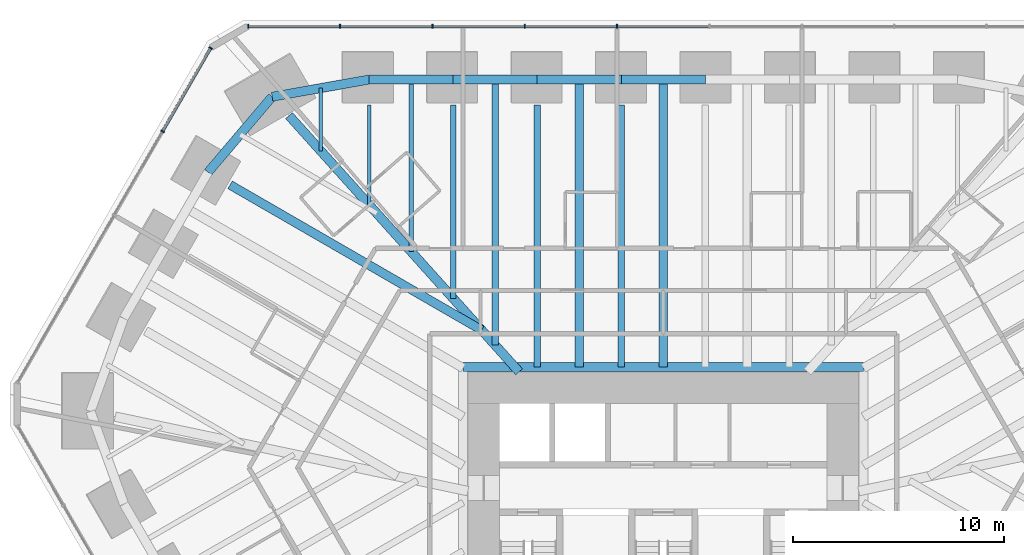
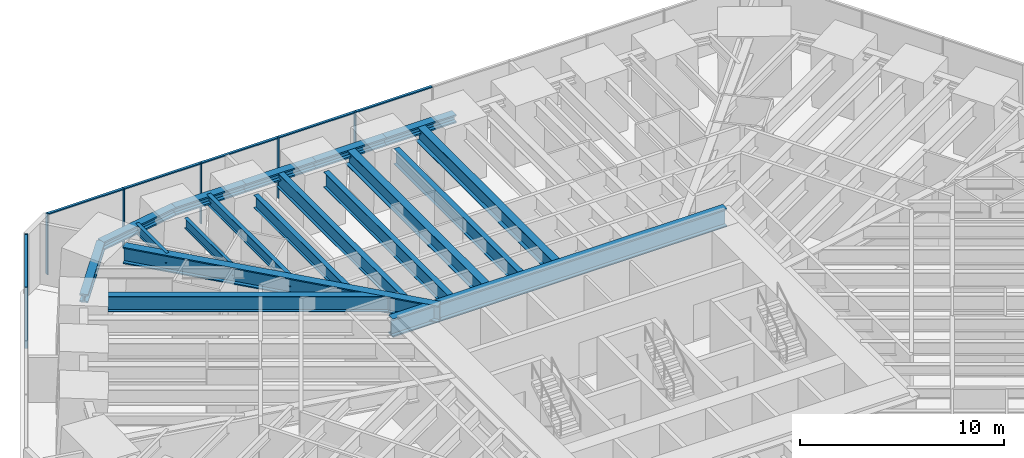
# One storey, part 8 of 17: 18 beams, 13 members, 2 elements without a shape of their own.
"""IFC4 building model written with IfcOpenShell, lengths in metres."""

from ifc_helpers import new_model, si_unit, direction, frame, origin, origin_2d, place, context, subcontext, project, spatial, rectangle, i_section, extrude, material, material_profile, profile_set, type_object, element, aggregate, save


model = new_model("IFC4")

# Units and contexts
model_context = context("Model", 3, precision=1e-05, world=origin(), true_north=direction((0.0, 1.0)))
body_context = subcontext(model_context, "Body", "Model", "MODEL_VIEW")
ifc_project = project(units=[si_unit("LENGTHUNIT", "METRE"), si_unit("AREAUNIT", "SQUARE_METRE"), si_unit("VOLUMEUNIT", "CUBIC_METRE"), si_unit("PLANEANGLEUNIT", "RADIAN"), si_unit("MASSUNIT", "GRAM", prefix="KILO")], contexts=[model_context])

# Site, building, storey
site_placement = place(None, origin())
site = spatial("IfcSite", under=ifc_project, at=site_placement, CompositionType="ELEMENT")
building_placement = place(site_placement, origin())
building = spatial("IfcBuilding", under=site, at=building_placement, Name="Sandreach Pilgrim Tower", CompositionType="ELEMENT")
storey_placement = place(building_placement, frame((0.0, 0.0, 87.60009765625)))
storey = spatial("IfcBuildingStorey", under=building, at=storey_placement, Name="L21", CompositionType="ELEMENT", Elevation=87.60009765625)

# Beams
ifc_material_1 = material(Name="Steel ASTM A913 Grade 65", Category="steel")
ifc_material_profile_1 = material_profile(ifc_material_1, i_section(OverallWidth=0.431884765625, OverallDepth=0.497802734375, WebThickness=0.0556640625, FlangeThickness=0.0888671875, at=origin_2d()), Name="W14X500")
ifc_profile_set_1 = profile_set([ifc_material_profile_1], Name="Steel ASTM A913 Grade 65")
beam_type_1 = type_object("IfcBeamType", Name="Belt truss chord W14X500", PredefinedType="BEAM", material=ifc_profile_set_1)
for number, where, z_axis, x_axis, name in (
    (1, (-13.918701171875, 21.43212890625, 3.390869140625), (1.0, 0.0, 0.0), (0.0, 1.0, 0.0), "BM L21 BTB01"),
    (2, (-9.94189453125, 21.43212890625, 3.390869140625), (1.0, 0.0, 0.0), (0.0, 1.0, 0.0), "BM L21 BTB02"),
    (3, (-5.965087890625, 21.43212890625, 3.390869140625), (1.0, 0.0, 0.0), (0.0, 1.0, 0.0), "BM L21 BTB03"),
):
    element("IfcBeam", number, at=place(storey_placement, frame(where, z_axis=z_axis, x_axis=x_axis)), inside=storey, type_object=beam_type_1, Name=name, PredefinedType="BEAM", context=body_context, shape_type="SweptSolid", body=[
        extrude(i_section(OverallWidth=0.431884765625, OverallDepth=0.497802734375, WebThickness=0.0556640625, FlangeThickness=0.0888671875, at=origin_2d()), origin(), (0.0, 0.0, 1.0), 3.976806640625),
    ])
beam_1_placement = place(storey_placement, frame((-1.98828125, 21.43212890625, 3.390869140625), z_axis=(1.0, 0.0, 0.0), x_axis=(0.0, 1.0, 0.0)))
element("IfcBeam", 4, at=beam_1_placement, inside=storey, type_object=beam_type_1, Name="BM L21 BTB04", PredefinedType="BEAM", context=body_context, shape_type="SweptSolid", body=[
    extrude(i_section(OverallWidth=0.431884765625, OverallDepth=0.497802734375, WebThickness=0.0556640625, FlangeThickness=0.0888671875, at=origin_2d()), origin(), (0.0, 0.0, 1.0), 3.9765625),
])
beam_2_placement = place(storey_placement, frame((-21.54296875, 17.046875, 3.390869140625), z_axis=(0.647254831057, 0.762273693415, 0.0), x_axis=(-0.762273693415, 0.647254831057, 0.0)))
element("IfcBeam", 5, at=beam_2_placement, inside=storey, type_object=beam_type_1, Name="BM L21 BTB38", PredefinedType="BEAM", context=body_context, shape_type="SweptSolid", body=[
    extrude(i_section(OverallWidth=0.431884765625, OverallDepth=0.497802734375, WebThickness=0.0556640625, FlangeThickness=0.0888671875, at=origin_2d()), origin(), (0.0, 0.0, 1.0), 4.682373046875),
])
beam_3_placement = place(storey_placement, frame((-18.51220703125, 20.6162109375, 3.390869140625), z_axis=(0.984588549143, 0.174886788798, 0.0), x_axis=(-0.174886788798, 0.984588549143, 0.0)))
element("IfcBeam", 6, at=beam_3_placement, inside=storey, type_object=beam_type_1, Name="BM L21 BTB39", PredefinedType="BEAM", context=body_context, shape_type="SweptSolid", body=[
    extrude(i_section(OverallWidth=0.431884765625, OverallDepth=0.497802734375, WebThickness=0.0556640625, FlangeThickness=0.0888671875, at=origin_2d()), origin(), (0.0, 0.0, 1.0), 4.66552734375),
])

# Curtain wall, members
ifc_material_2 = material(Name="Aluminium framed curtain wall", Category="aluminium")
curtain_wall_type = type_object("IfcCurtainWallType", Name="Hostel tower curtain wall", PredefinedType="NOTDEFINED", material=ifc_material_2)
curtain_wall_1_placement = place(storey_placement, origin())
curtain_wall_1 = element("IfcCurtainWall", 7, at=curtain_wall_1_placement, inside=storey, type_object=curtain_wall_type, Name="CW-1 L21 N", PredefinedType="NOTDEFINED")
ifc_material_3 = material(Name="Aluminium extrusion", Category="aluminium")
ifc_material_profile_2 = material_profile(ifc_material_3, rectangle(XDim=0.06494140625, YDim=0.179931640625, at=origin_2d()), Name="CW-1M 65X180")
ifc_profile_set_2 = profile_set([ifc_material_profile_2], Name="Aluminium extrusion")
member_type_1 = type_object("IfcMemberType", Name="CW-1 mullion", PredefinedType="MULLION", material=ifc_profile_set_2)
member_1_placement = place(storey_placement, frame((-19.6396484375, 23.94873046875, 0.0), z_axis=(0.0, 0.0, 1.0), x_axis=(1.0, 0.0, 0.0)))
member_1 = element("IfcMember", 8, at=member_1_placement, type_object=member_type_1, Name="CW-1 mullion 1", PredefinedType="MULLION", context=body_context, shape_type="SweptSolid", body=[
    extrude(rectangle(XDim=0.06494140625, YDim=0.179931640625, at=origin_2d()), origin(), (0.0, 0.0, 1.0), 3.639892578125),
])
member_2_placement = place(storey_placement, frame((-15.300537109375, 23.94873046875, 0.0), z_axis=(0.0, 0.0, 1.0), x_axis=(1.0, 0.0, 0.0)))
member_2 = element("IfcMember", 9, at=member_2_placement, type_object=member_type_1, Name="CW-1 mullion 2", PredefinedType="MULLION", context=body_context, shape_type="SweptSolid", body=[
    extrude(rectangle(XDim=0.06494140625, YDim=0.179931640625, at=origin_2d()), origin(), (0.0, 0.0, 1.0), 3.639892578125),
])
member_3_placement = place(storey_placement, frame((-10.928955078125, 23.94873046875, 0.0), z_axis=(0.0, 0.0, 1.0), x_axis=(1.0, 0.0, 0.0)))
member_3 = element("IfcMember", 10, at=member_3_placement, type_object=member_type_1, Name="CW-1 mullion 3", PredefinedType="MULLION", context=body_context, shape_type="SweptSolid", body=[
    extrude(rectangle(XDim=0.06494140625, YDim=0.179931640625, at=origin_2d()), origin(), (0.0, 0.0, 1.0), 3.639892578125),
])
member_4_placement = place(storey_placement, frame((-6.557373046875, 23.94873046875, 0.0), z_axis=(0.0, 0.0, 1.0), x_axis=(1.0, 0.0, 0.0)))
member_4 = element("IfcMember", 11, at=member_4_placement, type_object=member_type_1, Name="CW-1 mullion 4", PredefinedType="MULLION", context=body_context, shape_type="SweptSolid", body=[
    extrude(rectangle(XDim=0.06494140625, YDim=0.179931640625, at=origin_2d()), origin(), (0.0, 0.0, 1.0), 3.639892578125),
])
member_5_placement = place(storey_placement, frame((-2.185791015625, 23.94873046875, 0.0), z_axis=(0.0, 0.0, 1.0), x_axis=(1.0, 0.0, 0.0)))
member_5 = element("IfcMember", 12, at=member_5_placement, type_object=member_type_1, Name="CW-1 mullion 5", PredefinedType="MULLION", context=body_context, shape_type="SweptSolid", body=[
    extrude(rectangle(XDim=0.06494140625, YDim=0.179931640625, at=origin_2d()), origin(), (0.0, 0.0, 1.0), 3.639892578125),
])

curtain_wall_2_placement = place(storey_placement, origin())
curtain_wall_2 = element("IfcCurtainWall", 13, at=curtain_wall_2_placement, inside=storey, type_object=curtain_wall_type, Name="CW-1 L21 NW", PredefinedType="NOTDEFINED")
member_6_placement = place(storey_placement, frame((-23.697265625, 18.97705078125, 0.0), z_axis=(0.0, 0.0, 1.0), x_axis=(0.5, 0.866025403784, 0.0)))
member_6 = element("IfcMember", 14, at=member_6_placement, type_object=member_type_1, Name="CW-1 mullion 4", PredefinedType="MULLION", context=body_context, shape_type="SweptSolid", body=[
    extrude(rectangle(XDim=0.06494140625, YDim=0.179931640625, at=origin_2d()), origin(), (0.0, 0.0, 1.0), 3.639892578125),
])
member_7_placement = place(storey_placement, frame((-21.42041015625, 22.920654296875, 0.0), z_axis=(0.0, 0.0, 1.0), x_axis=(0.5, 0.866025403784, 0.0)))
member_7 = element("IfcMember", 15, at=member_7_placement, type_object=member_type_1, Name="CW-1 mullion 5", PredefinedType="MULLION", context=body_context, shape_type="SweptSolid", body=[
    extrude(rectangle(XDim=0.06494140625, YDim=0.179931640625, at=origin_2d()), origin(), (0.0, 0.0, 1.0), 3.639892578125),
])

# Member
ifc_material_4 = material(Name="Aluminium extrusion", Category="aluminium")
ifc_material_profile_3 = material_profile(ifc_material_4, rectangle(XDim=0.139892578125, YDim=0.070068359375, at=origin_2d()), Name="CW-1T 140X70")
ifc_profile_set_3 = profile_set([ifc_material_profile_3], Name="Aluminium extrusion")
member_type_2 = type_object("IfcMemberType", Name="CW-1 transom", PredefinedType="USERDEFINED", material=ifc_profile_set_3)
member_8_placement = place(storey_placement, frame((-19.607177734375, 23.94873046875, 3.60498046875), z_axis=(1.0, 0.0, 0.0), x_axis=(0.0, 1.0, 0.0)))
member_8 = element("IfcMember", 16, at=member_8_placement, type_object=member_type_2, Name="CW-1 head transom 1", ObjectType="TRANSOM", PredefinedType="USERDEFINED", context=body_context, shape_type="SweptSolid", body=[
    extrude(rectangle(XDim=0.139892578125, YDim=0.070068359375, at=origin_2d()), origin(), (0.0, 0.0, 1.0), 4.274169921875),
])

member_9_placement = place(storey_placement, frame((-15.26806640625, 23.94873046875, 3.60498046875), z_axis=(1.0, 0.0, 0.0), x_axis=(0.0, 1.0, 0.0)))
member_9 = element("IfcMember", 17, at=member_9_placement, type_object=member_type_2, Name="CW-1 head transom 2", ObjectType="TRANSOM", PredefinedType="USERDEFINED", context=body_context, shape_type="SweptSolid", body=[
    extrude(rectangle(XDim=0.139892578125, YDim=0.070068359375, at=origin_2d()), origin(), (0.0, 0.0, 1.0), 4.306640625),
])

member_10_placement = place(storey_placement, frame((-10.896484375, 23.94873046875, 3.60498046875), z_axis=(1.0, 0.0, 0.0), x_axis=(0.0, 1.0, 0.0)))
member_10 = element("IfcMember", 18, at=member_10_placement, type_object=member_type_2, Name="CW-1 head transom 3", ObjectType="TRANSOM", PredefinedType="USERDEFINED", context=body_context, shape_type="SweptSolid", body=[
    extrude(rectangle(XDim=0.139892578125, YDim=0.070068359375, at=origin_2d()), origin(), (0.0, 0.0, 1.0), 4.306640625),
])

member_11_placement = place(storey_placement, frame((-6.52490234375, 23.94873046875, 3.60498046875), z_axis=(1.0, 0.0, 0.0), x_axis=(0.0, 1.0, 0.0)))
member_11 = element("IfcMember", 19, at=member_11_placement, type_object=member_type_2, Name="CW-1 head transom 4", ObjectType="TRANSOM", PredefinedType="USERDEFINED", context=body_context, shape_type="SweptSolid", body=[
    extrude(rectangle(XDim=0.139892578125, YDim=0.070068359375, at=origin_2d()), origin(), (0.0, 0.0, 1.0), 4.306640625),
])

member_12_placement = place(storey_placement, frame((-2.1533203125, 23.94873046875, 3.60498046875), z_axis=(1.0, 0.0, 0.0), x_axis=(0.0, 1.0, 0.0)))
member_12 = element("IfcMember", 20, at=member_12_placement, type_object=member_type_2, Name="CW-1 head transom 5", ObjectType="TRANSOM", PredefinedType="USERDEFINED", context=body_context, shape_type="SweptSolid", body=[
    extrude(rectangle(XDim=0.139892578125, YDim=0.070068359375, at=origin_2d()), origin(), (0.0, 0.0, 1.0), 4.306640625),
])

aggregate(curtain_wall_1, [member_1, member_2, member_3, member_4, member_5, member_8, member_9, member_10, member_11, member_12])

member_13_placement = place(storey_placement, frame((-23.680908203125, 19.005126953125, 3.60498046875), z_axis=(0.500017500808, 0.866015299452, 0.0), x_axis=(-0.866015299452, 0.500017500808, 0.0)))
member_13 = element("IfcMember", 21, at=member_13_placement, type_object=member_type_2, Name="CW-1 head transom 4", ObjectType="TRANSOM", PredefinedType="USERDEFINED", context=body_context, shape_type="SweptSolid", body=[
    extrude(rectangle(XDim=0.139892578125, YDim=0.070068359375, at=origin_2d()), origin(), (0.0, 0.0, 1.0), 4.488525390625),
])

aggregate(curtain_wall_2, [member_6, member_7, member_13])

# Beams
ifc_material_5 = material(Name="Steel ASTM A992 Grade 50", Category="steel")
ifc_material_profile_4 = material_profile(ifc_material_5, i_section(OverallWidth=0.424072265625, OverallDepth=1.09228515625, WebThickness=0.04541015625, FlangeThickness=0.08203125, at=origin_2d()), Name="W40X593")
ifc_profile_set_4 = profile_set([ifc_material_profile_4], Name="Steel ASTM A992 Grade 50")
beam_type_2 = type_object("IfcBeamType", Name="Core edge beam W40X593", PredefinedType="BEAM", material=ifc_profile_set_4)
beam_4_placement = place(storey_placement, frame((-9.47216796875, 7.822021484375, 3.09375), z_axis=(1.0, 0.0, 0.0), x_axis=(0.0, 1.0, 0.0)))
element("IfcBeam", 22, at=beam_4_placement, inside=storey, type_object=beam_type_2, Name="BM L21 CEN", PredefinedType="BEAM", context=body_context, shape_type="SweptSolid", body=[
    extrude(i_section(OverallWidth=0.424072265625, OverallDepth=1.09228515625, WebThickness=0.04541015625, FlangeThickness=0.08203125, at=origin_2d()), origin(), (0.0, 0.0, 1.0), 18.9443359375),
])
ifc_material_6 = material(Name="Steel ASTM A992 Grade 50", Category="steel")
ifc_material_profile_5 = material_profile(ifc_material_6, i_section(OverallWidth=0.434326171875, OverallDepth=0.998291015625, WebThickness=0.0380859375, FlangeThickness=0.068115234375, at=origin_2d()), Name="W36X487")
ifc_profile_set_5 = profile_set([ifc_material_profile_5], Name="Steel ASTM A992 Grade 50")
beam_type_3 = type_object("IfcBeamType", Name="Corner girder W36X487", PredefinedType="BEAM", material=ifc_profile_set_5)
beam_5_placement = place(storey_placement, frame((-17.71044921875, 19.723388671875, 3.140869140625), z_axis=(0.668125712195, -0.744048407501, 0.0), x_axis=(0.744048407501, 0.668125712195, 0.0)))
element("IfcBeam", 23, at=beam_5_placement, inside=storey, type_object=beam_type_3, Name="BM L21 CG39", PredefinedType="BEAM", context=body_context, shape_type="SweptSolid", body=[
    extrude(i_section(OverallWidth=0.434326171875, OverallDepth=0.998291015625, WebThickness=0.0380859375, FlangeThickness=0.068115234375, at=origin_2d()), origin(), (0.0, 0.0, 1.0), 16.293701171875),
])
ifc_material_7 = material(Name="Steel ASTM A992 Grade 50", Category="steel")
ifc_material_profile_6 = material_profile(ifc_material_7, i_section(OverallWidth=0.1787109375, OverallDepth=0.60205078125, WebThickness=0.010986328125, FlangeThickness=0.014892578125, at=origin_2d()), Name="W24X62")
ifc_profile_set_6 = profile_set([ifc_material_profile_6], Name="Steel ASTM A992 Grade 50")
beam_type_4 = type_object("IfcBeamType", Name="Floor beam W24X62", PredefinedType="BEAM", material=ifc_profile_set_6)
beam_6_placement = place(storey_placement, frame((-13.918701171875, 20.232177734375, 3.3388671875), z_axis=(0.0, -1.0, 0.0), x_axis=(1.0, 0.0, 0.0)))
element("IfcBeam", 24, at=beam_6_placement, inside=storey, type_object=beam_type_4, Name="BM L21 F01", PredefinedType="BEAM", context=body_context, shape_type="SweptSolid", body=[
    extrude(i_section(OverallWidth=0.1787109375, OverallDepth=0.60205078125, WebThickness=0.010986328125, FlangeThickness=0.014892578125, at=origin_2d()), origin(), (0.0, 0.0, 1.0), 4.7314453125),
])
beam_7_placement = place(storey_placement, frame((-16.21533203125, 21.024169921875, 3.3388671875), z_axis=(0.0, -1.0, 0.0), x_axis=(1.0, 0.0, 0.0)))
element("IfcBeam", 25, at=beam_7_placement, inside=storey, type_object=beam_type_4, Name="BM L21 FM39", PredefinedType="BEAM", context=body_context, shape_type="SweptSolid", body=[
    extrude(i_section(OverallWidth=0.1787109375, OverallDepth=0.60205078125, WebThickness=0.010986328125, FlangeThickness=0.014892578125, at=origin_2d()), origin(), (0.0, 0.0, 1.0), 2.965576171875),
])
ifc_material_8 = material(Name="Steel ASTM A992 Grade 50", Category="steel")
ifc_material_profile_7 = material_profile(ifc_material_8, i_section(OverallWidth=0.23046875, OverallDepth=0.6171875, WebThickness=0.01318359375, FlangeThickness=0.022216796875, at=origin_2d()), Name="W24X94")
ifc_profile_set_7 = profile_set([ifc_material_profile_7], Name="Steel ASTM A992 Grade 50")
beam_type_5 = type_object("IfcBeamType", Name="Floor beam W24X94", PredefinedType="BEAM", material=ifc_profile_set_7)
beam_8_placement = place(storey_placement, frame((-11.930419921875, 21.43212890625, 3.331298828125), z_axis=(0.0, -1.0, 0.0), x_axis=(1.0, 0.0, 0.0)))
element("IfcBeam", 26, at=beam_8_placement, inside=storey, type_object=beam_type_5, Name="BM L21 FM01", PredefinedType="BEAM", context=body_context, shape_type="SweptSolid", body=[
    extrude(i_section(OverallWidth=0.23046875, OverallDepth=0.6171875, WebThickness=0.01318359375, FlangeThickness=0.022216796875, at=origin_2d()), origin(), (0.0, 0.0, 1.0), 8.145751953125),
])
ifc_material_9 = material(Name="Steel ASTM A992 Grade 50", Category="steel")
ifc_material_profile_8 = material_profile(ifc_material_9, i_section(OverallWidth=0.2666015625, OverallDepth=0.761962890625, WebThickness=0.014404296875, FlangeThickness=0.021484375, at=origin_2d()), Name="W30X116")
ifc_profile_set_8 = profile_set([ifc_material_profile_8], Name="Steel ASTM A992 Grade 50")
beam_type_6 = type_object("IfcBeamType", Name="Floor beam W30X116", PredefinedType="BEAM", material=ifc_profile_set_8)
beam_9_placement = place(storey_placement, frame((-9.94189453125, 20.232177734375, 3.2587890625), z_axis=(0.0, -1.0, 0.0), x_axis=(1.0, 0.0, 0.0)))
element("IfcBeam", 27, at=beam_9_placement, inside=storey, type_object=beam_type_6, Name="BM L21 F02", PredefinedType="BEAM", context=body_context, shape_type="SweptSolid", body=[
    extrude(i_section(OverallWidth=0.2666015625, OverallDepth=0.761962890625, WebThickness=0.014404296875, FlangeThickness=0.021484375, at=origin_2d()), origin(), (0.0, 0.0, 1.0), 9.16015625),
])
ifc_material_10 = material(Name="Steel ASTM A992 Grade 50", Category="steel")
ifc_material_profile_9 = material_profile(ifc_material_10, i_section(OverallWidth=0.3046875, OverallDepth=0.914306640625, WebThickness=0.0166015625, FlangeThickness=0.02587890625, at=origin_2d()), Name="W36X160")
ifc_profile_set_9 = profile_set([ifc_material_profile_9], Name="Steel ASTM A992 Grade 50")
beam_type_7 = type_object("IfcBeamType", Name="Floor beam W36X160", PredefinedType="BEAM", material=ifc_profile_set_9)
for number, where, z_axis, x_axis, name in (
    (28, (-5.965087890625, 20.232177734375, 3.1826171875), (0.0, -1.0, 0.0), (1.0, 0.0, 0.0), "BM L21 F03"),
    (29, (-1.98828125, 20.232177734375, 3.1826171875), (0.0, -1.0, 0.0), (1.0, 0.0, 0.0), "BM L21 F04"),
):
    element("IfcBeam", number, at=place(storey_placement, frame(where, z_axis=z_axis, x_axis=x_axis)), inside=storey, type_object=beam_type_7, Name=name, PredefinedType="BEAM", context=body_context, shape_type="SweptSolid", body=[
        extrude(i_section(OverallWidth=0.3046875, OverallDepth=0.914306640625, WebThickness=0.0166015625, FlangeThickness=0.02587890625, at=origin_2d()), origin(), (0.0, 0.0, 1.0), 12.41015625),
    ])
beam_10_placement = place(storey_placement, frame((-7.95361328125, 21.43212890625, 3.1826171875), z_axis=(0.0, -1.0, 0.0), x_axis=(1.0, 0.0, 0.0)))
element("IfcBeam", 30, at=beam_10_placement, inside=storey, type_object=beam_type_7, Name="BM L21 FM02", PredefinedType="BEAM", context=body_context, shape_type="SweptSolid", body=[
    extrude(i_section(OverallWidth=0.3046875, OverallDepth=0.914306640625, WebThickness=0.0166015625, FlangeThickness=0.02587890625, at=origin_2d()), origin(), (0.0, 0.0, 1.0), 12.57470703125),
])
ifc_material_11 = material(Name="Steel ASTM A992 Grade 50", Category="steel")
ifc_material_profile_10 = material_profile(ifc_material_11, i_section(OverallWidth=0.419189453125, OverallDepth=0.927001953125, WebThickness=0.019287109375, FlangeThickness=0.031982421875, at=origin_2d()), Name="W36X231")
ifc_profile_set_10 = profile_set([ifc_material_profile_10], Name="Steel ASTM A992 Grade 50")
beam_type_8 = type_object("IfcBeamType", Name="Floor beam W36X231", PredefinedType="BEAM", material=ifc_profile_set_10)
beam_11_placement = place(storey_placement, frame((-20.503662109375, 16.447021484375, 3.17626953125), z_axis=(0.866023278067, -0.500003681833, 0.0), x_axis=(0.500003681833, 0.866023278067, 0.0)))
element("IfcBeam", 31, at=beam_11_placement, inside=storey, type_object=beam_type_8, Name="BM L21 F38", PredefinedType="BEAM", context=body_context, shape_type="SweptSolid", body=[
    extrude(i_section(OverallWidth=0.419189453125, OverallDepth=0.927001953125, WebThickness=0.019287109375, FlangeThickness=0.031982421875, at=origin_2d()), origin(), (0.0, 0.0, 1.0), 13.751953125),
])
for number, where, z_axis, x_axis, name in (
    (32, (-3.976806640625, 21.43212890625, 3.17626953125), (0.0, -1.0, 0.0), (1.0, 0.0, 0.0), "BM L21 FM03"),
    (33, (0.0, 21.43212890625, 3.17626953125), (0.0, -1.0, 0.0), (1.0, 0.0, 0.0), "BM L21 FM04"),
):
    element("IfcBeam", number, at=place(storey_placement, frame(where, z_axis=z_axis, x_axis=x_axis)), inside=storey, type_object=beam_type_8, Name=name, PredefinedType="BEAM", context=body_context, shape_type="SweptSolid", body=[
        extrude(i_section(OverallWidth=0.419189453125, OverallDepth=0.927001953125, WebThickness=0.019287109375, FlangeThickness=0.031982421875, at=origin_2d()), origin(), (0.0, 0.0, 1.0), 13.610107421875),
    ])

save(model, "model.ifc")
